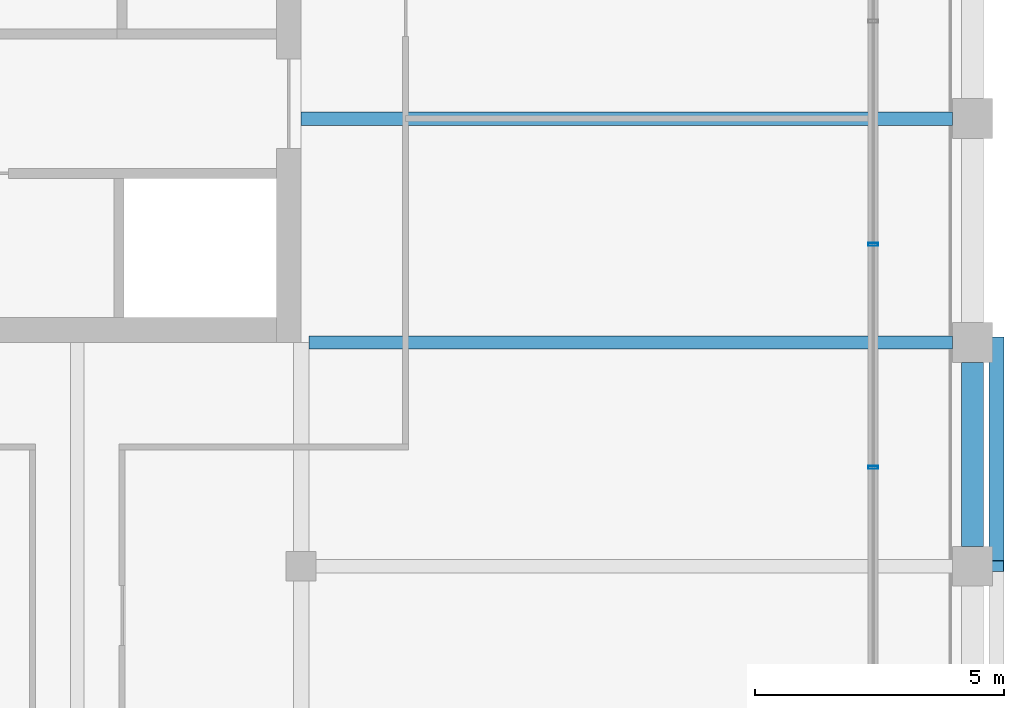
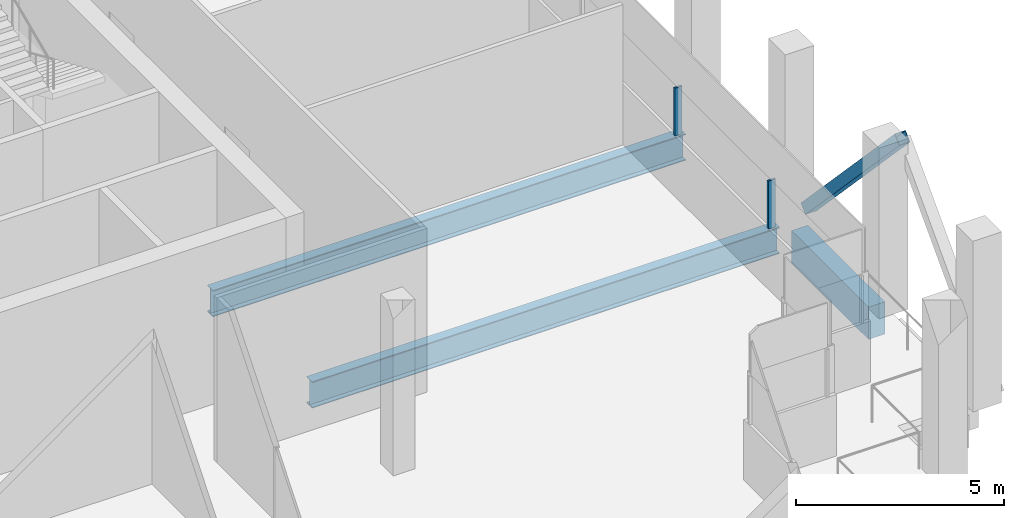
# One storey, part 9 of 21: 3 beams, 3 members, 1 element without a shape of its own.
"""IFC4 building model written with IfcOpenShell, lengths in metres."""

import ifcopenshell
import ifcopenshell.guid

model = None  # the IFC model being written
_history = None  # IfcOwnerHistory: only IFC2X3 demands one
_inside = {}  # id of a spatial element -> (the spatial element, [elements in it])
_under = {}  # id of a project, library or spatial element -> (it, [spatial elements below it])
_declared = {}  # id of a project -> (the project, [libraries it declares])
_typed = {}  # id of a type object -> (the type object, [elements of that type])
_made_of = {}  # id of a material, layer set ... -> (it, [elements and type objects made of it])


def new_model(schema):
    """Start an empty IFC model of exactly this schema.

    Asked for "IFC4X3", IfcOpenShell would pick the latest addendum, in which some entities
    have other attributes; the version numbers below select the first issue.
    IFC2X3 requires an IfcOwnerHistory on every rooted entity: one is made here for all.
    """
    global model, _history
    if schema == "IFC4X3":
        model = ifcopenshell.file(schema_version=(4, 3, 0, 0))
    else:
        model = ifcopenshell.file(schema=schema)
    _inside.clear()
    _under.clear()
    _declared.clear()
    _typed.clear()
    _made_of.clear()
    _history = None
    if model.schema == "IFC2X3":
        org = make("IfcOrganization", Name="unknown")
        user = make(
            "IfcPersonAndOrganization",
            ThePerson=make("IfcPerson", FamilyName="unknown"),
            TheOrganization=org,
        )
        app = make(
            "IfcApplication",
            ApplicationDeveloper=org,
            Version="unknown",
            ApplicationFullName="unknown",
            ApplicationIdentifier="unknown",
        )
        _history = make(
            "IfcOwnerHistory",
            OwningUser=user,
            OwningApplication=app,
            ChangeAction="ADDED",
            CreationDate=0,
        )
    return model


def make(cls, **values):
    """One entity of the class cls with the attributes given. An attribute that is None is left unset."""
    return model.create_entity(
        cls, **{name: value for name, value in values.items() if value is not None}
    )


def rooted(cls, **values):
    """An entity with a GlobalId (a new one), such as an element, a storey or a relation."""
    return make(cls, GlobalId=ifcopenshell.guid.new(), OwnerHistory=_history, **values)


def si_unit(unit_type, name, prefix=None):
    """IfcSIUnit, for example si_unit("LENGTHUNIT", "METRE", prefix="MILLI")."""
    return make("IfcSIUnit", UnitType=unit_type, Prefix=prefix, Name=name)


def assignment(units):
    """IfcUnitAssignment: the units of a project."""
    return None if units is None else make("IfcUnitAssignment", Units=units)


def point(xyz):
    """IfcCartesianPoint."""
    return None if xyz is None else make("IfcCartesianPoint", Coordinates=xyz)


def direction(xyz):
    """IfcDirection."""
    return None if xyz is None else make("IfcDirection", DirectionRatios=xyz)


def frame(location, z_axis=None, x_axis=None):
    """IfcAxis2Placement3D, a coordinate frame: its origin and axes. An axis left out is left unset."""
    return make(
        "IfcAxis2Placement3D",
        Location=point(location),
        Axis=direction(z_axis),
        RefDirection=direction(x_axis),
    )


def frame_2d(location, x_axis=None):
    """IfcAxis2Placement2D, a coordinate frame in the plane: its origin and x axis."""
    return make(
        "IfcAxis2Placement2D", Location=point(location), RefDirection=direction(x_axis)
    )


def origin():
    """The frame at (0, 0, 0) with its axes left unset."""
    return frame((0.0, 0.0, 0.0))


def origin_2d():
    """The frame at (0, 0) in the plane with its x axis left unset."""
    return frame_2d((0.0, 0.0))


def place(relative_to, where):
    """IfcLocalPlacement: puts the frame where relative to a parent placement (None: the world)."""
    return make(
        "IfcLocalPlacement", PlacementRelTo=relative_to, RelativePlacement=where
    )


def context(
    kind, dimensions, precision=None, world=None, true_north=None, identifier=None
):
    """IfcGeometricRepresentationContext, for example the 3D "Model" context."""
    return make(
        "IfcGeometricRepresentationContext",
        ContextIdentifier=identifier,
        ContextType=kind,
        CoordinateSpaceDimension=dimensions,
        Precision=precision,
        WorldCoordinateSystem=world,
        TrueNorth=true_north,
    )


def subcontext(parent, identifier, kind, view, scale=None):
    """IfcGeometricRepresentationSubContext, for example "Body" below "Model"."""
    return make(
        "IfcGeometricRepresentationSubContext",
        ContextIdentifier=identifier,
        ContextType=kind,
        ParentContext=parent,
        TargetScale=scale,
        TargetView=view,
    )


def project(units=None, contexts=None):
    """IfcProject with its units and contexts."""
    return rooted(
        "IfcProject",
        Name="project",
        RepresentationContexts=contexts,
        UnitsInContext=assignment(units),
    )


def spatial(cls, under=None, at=None, **own):
    """A site, building, storey or space (cls), placed at a placement, below another one or the project."""
    s = rooted(cls, ObjectPlacement=at, **own)
    if under is not None:
        _under.setdefault(under.id(), (under, []))[1].append(s)
    return s


def profile(cls, at=None, kind="AREA", **sizes):
    """A parametric profile (cls). Its sizes go by their IFC names, for example OverallWidth=200.0."""
    return make(cls, ProfileType=kind, Position=at, **sizes)


def rectangle(**sizes):
    """IfcRectangleProfileDef."""
    return profile("IfcRectangleProfileDef", **sizes)


def hollow_rectangle(**sizes):
    """IfcRectangleHollowProfileDef."""
    return profile("IfcRectangleHollowProfileDef", **sizes)


def i_section(**sizes):
    """IfcIShapeProfileDef."""
    return profile("IfcIShapeProfileDef", **sizes)


def extrude(swept, where, along, depth):
    """IfcExtrudedAreaSolid: the profile swept, set in the frame where, extruded along a direction by depth."""
    return make(
        "IfcExtrudedAreaSolid",
        SweptArea=swept,
        Position=where,
        ExtrudedDirection=direction(along),
        Depth=depth,
    )


def shape(context_of_items, identifier, shape_type, items):
    """IfcShapeRepresentation: the items that make up one representation, for example the "Body"."""
    return make(
        "IfcShapeRepresentation",
        ContextOfItems=context_of_items,
        RepresentationIdentifier=identifier,
        RepresentationType=shape_type,
        Items=items,
    )


def material(Name=None, Category=None):
    """IfcMaterial."""
    return make("IfcMaterial", Name=Name, Category=Category)


def material_profile(
    of_material, cross_section, Name=None, Category=None, Priority=None
):
    """IfcMaterialProfile: a cross section and its material."""
    return make(
        "IfcMaterialProfile",
        Name=Name,
        Material=of_material,
        Profile=cross_section,
        Priority=Priority,
        Category=Category,
    )


def profile_set(profiles, Name=None, composite=None):
    """IfcMaterialProfileSet."""
    return make(
        "IfcMaterialProfileSet",
        Name=Name,
        MaterialProfiles=profiles,
        CompositeProfile=composite,
    )


def made_of(thing, what):
    """Note that an element or type object is made of a material, layer set ...; save() writes the relation."""
    if what is not None:
        _made_of.setdefault(what.id(), (what, []))[1].append(thing)
    return thing


def type_object(cls, material=None, **own):
    """A type object (cls), such as IfcWallType, which elements share."""
    return made_of(rooted(cls, **own), material)


def element(
    cls,
    number,
    at=None,
    inside=None,
    cuts=None,
    type_object=None,
    material=None,
    context=None,
    identifier="Body",
    shape_type=None,
    held_by="IfcProductDefinitionShape",
    body=None,
    shapes=None,
    **own,
):
    """One element of the class cls, such as IfcWall. Its Tag is "e" and its number.

    at: its placement. inside: the storey or other place that contains it. cuts: it is an
    opening in that element (IfcRelVoidsElement). A single representation is given by context,
    identifier, shape_type and body (its items); several are given by shapes. held_by: the class
    of the entity that holds the representations. save() writes the other relations.
    """
    e = rooted(cls, Tag="e%d" % number, ObjectPlacement=at, **own)
    if body is not None:
        shapes = [shape(context, identifier, shape_type, body)]
    if shapes is not None:
        e.Representation = make(held_by, Representations=shapes)
    if inside is not None:
        _inside.setdefault(inside.id(), (inside, []))[1].append(e)
    if cuts is not None:
        rooted(
            "IfcRelVoidsElement", RelatingBuildingElement=cuts, RelatedOpeningElement=e
        )
    if type_object is not None:
        _typed.setdefault(type_object.id(), (type_object, []))[1].append(e)
    return made_of(e, material)


def aggregate(whole, parts):
    """IfcRelAggregates: a whole, such as a stair, and the parts it consists of."""
    return rooted("IfcRelAggregates", RelatingObject=whole, RelatedObjects=parts)


def save(model, path):
    """Write the relations noted so far, then the file.

    IfcRelAggregates (storeys below a building ...), IfcRelContainedInSpatialStructure (elements
    in a storey), IfcRelDefinesByType, IfcRelAssociatesMaterial and IfcRelDeclares: one each for
    every whole, place, type object, material and project.
    """
    for whole, parts in _under.values():
        aggregate(whole, parts)
    for where, things in _inside.values():
        rooted(
            "IfcRelContainedInSpatialStructure",
            RelatedElements=things,
            RelatingStructure=where,
        )
    for kind, things in _typed.values():
        rooted("IfcRelDefinesByType", RelatedObjects=things, RelatingType=kind)
    for what, things in _made_of.values():
        rooted("IfcRelAssociatesMaterial", RelatedObjects=things, RelatingMaterial=what)
    for by, libraries in _declared.values():
        rooted("IfcRelDeclares", RelatingContext=by, RelatedDefinitions=libraries)
    model.write(path)


model = new_model("IFC4")

# Units and contexts
model_context = context("Model", 3, precision=1e-05, world=origin(), true_north=direction((0.0, 1.0)))
body_context = subcontext(model_context, "Body", "Model", "MODEL_VIEW")
ifc_project = project(units=[si_unit("LENGTHUNIT", "METRE"), si_unit("AREAUNIT", "SQUARE_METRE"), si_unit("VOLUMEUNIT", "CUBIC_METRE"), si_unit("PLANEANGLEUNIT", "RADIAN"), si_unit("MASSUNIT", "GRAM", prefix="KILO")], contexts=[model_context])

# Site, building, storey
site_placement = place(None, origin())
site = spatial("IfcSite", under=ifc_project, at=site_placement, CompositionType="ELEMENT")
building_placement = place(site_placement, origin())
building = spatial("IfcBuilding", under=site, at=building_placement, Name="Altepetl Exchange Towers", CompositionType="ELEMENT")
storey_placement = place(building_placement, frame((0.0, 0.0, 246.0)))
storey = spatial("IfcBuildingStorey", under=building, at=storey_placement, Name="L63 Refuge", CompositionType="ELEMENT", Elevation=246.0)

# Member
ifc_material_1 = material(Name="Steel S355", Category="steel")
ifc_material_profile_1 = material_profile(ifc_material_1, hollow_rectangle(XDim=0.304931640625, YDim=0.304931640625, WallThickness=0.01171875, at=origin_2d()), Name="HSS305X305X12.7")
ifc_profile_set_1 = profile_set([ifc_material_profile_1], Name="Steel S355")
member_type_1 = type_object("IfcMemberType", Name="Belt diagonal HSS305X305X12.7", PredefinedType="BRACE", material=ifc_profile_set_1)
member_1_placement = place(storey_placement, frame((72.47998046875, 36.0, 4.75), z_axis=(0.0, 0.687744647911, -0.725952683906), x_axis=(-1.0, 0.0, 0.0)))
element("IfcMember", 1, at=member_1_placement, inside=storey, type_object=member_type_1, Name="brc:A:L63:009", PredefinedType="BRACE", context=body_context, shape_type="SweptSolid", body=[
    extrude(hollow_rectangle(XDim=0.304931640625, YDim=0.304931640625, WallThickness=0.01171875, at=origin_2d()), origin(), (0.0, 0.0, 1.0), 6.543212890625),
])

# Beams
ifc_material_profile_2 = material_profile(ifc_material_1, i_section(OverallWidth=0.26806640625, OverallDepth=0.77392578125, WebThickness=0.015380859375, FlangeThickness=0.025390625, at=origin_2d()), Name="W30X132")
ifc_profile_set_2 = profile_set([ifc_material_profile_2], Name="Steel S355")
beam_type_1 = type_object("IfcBeamType", Name="Floor beam W30X132", PredefinedType="BEAM", material=ifc_profile_set_2)
beam_1_placement = place(storey_placement, frame((58.654052734375, 40.5, -0.5869140625), z_axis=(1.0, 0.0, 0.0), x_axis=(0.0, 1.0, 0.0)))
element("IfcBeam", 2, at=beam_1_placement, inside=storey, type_object=beam_type_1, Name="bm:A:L63:008", PredefinedType="BEAM", context=body_context, shape_type="SweptSolid", body=[
    extrude(i_section(OverallWidth=0.26806640625, OverallDepth=0.77392578125, WebThickness=0.015380859375, FlangeThickness=0.025390625, at=origin_2d()), origin(), (0.0, 0.0, 1.0), 12.946044921875),
])
beam_2_placement = place(storey_placement, frame((58.5, 45.0, -0.5869140625), z_axis=(1.0, 0.0, 0.0), x_axis=(0.0, 1.0, 0.0)))
element("IfcBeam", 3, at=beam_2_placement, inside=storey, type_object=beam_type_1, Name="bm:A:L63:009", PredefinedType="BEAM", context=body_context, shape_type="SweptSolid", body=[
    extrude(i_section(OverallWidth=0.26806640625, OverallDepth=0.77392578125, WebThickness=0.015380859375, FlangeThickness=0.025390625, at=origin_2d()), origin(), (0.0, 0.0, 1.0), 13.10009765625),
])

# Curtain wall, members
ifc_material_2 = material(Name="Aluminium 6063-T6 glazing", Category="aluminium")
curtain_wall_type = type_object("IfcCurtainWallType", Name="Refuge slit glazing system", PredefinedType="NOTDEFINED", material=ifc_material_2)
curtain_wall_placement = place(storey_placement, origin())
curtain_wall = element("IfcCurtainWall", 4, at=curtain_wall_placement, inside=storey, type_object=curtain_wall_type, Name="CW3 run", PredefinedType="NOTDEFINED")
ifc_material_3 = material(Name="Aluminium 6063-T6", Category="aluminium")
ifc_material_profile_3 = material_profile(ifc_material_3, hollow_rectangle(XDim=0.06005859375, YDim=0.199951171875, WallThickness=0.0029296875, at=origin_2d()), Name="Mullion 60x200 aluminium")
ifc_profile_set_3 = profile_set([ifc_material_profile_3], Name="Aluminium 6063-T6")
member_type_2 = type_object("IfcMemberType", Name="Mullion 60x200 aluminium", PredefinedType="MULLION", material=ifc_profile_set_3)
member_2_placement = place(storey_placement, frame((70.0, 37.986083984375, 1.800048828125), z_axis=(0.0, 0.0, 1.0), x_axis=(0.0, 1.0, 0.0)))
member_2 = element("IfcMember", 5, at=member_2_placement, type_object=member_type_2, Name="MU2 mullion", PredefinedType="MULLION", context=body_context, shape_type="SweptSolid", body=[
    extrude(hollow_rectangle(XDim=0.06005859375, YDim=0.199951171875, WallThickness=0.0029296875, at=origin_2d()), origin(), (0.0, 0.0, 1.0), 1.39990234375),
])
member_3_placement = place(storey_placement, frame((70.0, 42.471923828125, 1.800048828125), z_axis=(0.0, 0.0, 1.0), x_axis=(0.0, 1.0, 0.0)))
member_3 = element("IfcMember", 6, at=member_3_placement, type_object=member_type_2, Name="MU2 mullion", PredefinedType="MULLION", context=body_context, shape_type="SweptSolid", body=[
    extrude(hollow_rectangle(XDim=0.06005859375, YDim=0.199951171875, WallThickness=0.0029296875, at=origin_2d()), origin(), (0.0, 0.0, 1.0), 1.39990234375),
])
aggregate(curtain_wall, [member_2, member_3])

# Beam
ifc_material_4 = material(Name="Concrete C50/60 precast with cantera amarilla facing", Category="concrete")
ifc_material_profile_4 = material_profile(ifc_material_4, rectangle(XDim=0.449951171875, YDim=0.949951171875, at=origin_2d()), Name="450 x 950")
ifc_profile_set_4 = profile_set([ifc_material_profile_4], Name="Concrete C50/60 precast with cantera amarilla facing")
beam_type_2 = type_object("IfcBeamType", Name="Spandrel beam 450x950 cantera amarilla", PredefinedType="SPANDREL", material=ifc_profile_set_4)
beam_3_placement = place(storey_placement, frame((72.0, 36.39990234375, -0.675048828125), z_axis=(0.0, 1.0, 0.0), x_axis=(-1.0, 0.0, 0.0)))
element("IfcBeam", 7, at=beam_3_placement, inside=storey, type_object=beam_type_2, Name="sp:A:L63:013", PredefinedType="SPANDREL", context=body_context, shape_type="SweptSolid", body=[
    extrude(rectangle(XDim=0.449951171875, YDim=0.949951171875, at=origin_2d()), origin(), (0.0, 0.0, 1.0), 3.7001953125),
])

save(model, "model.ifc")
